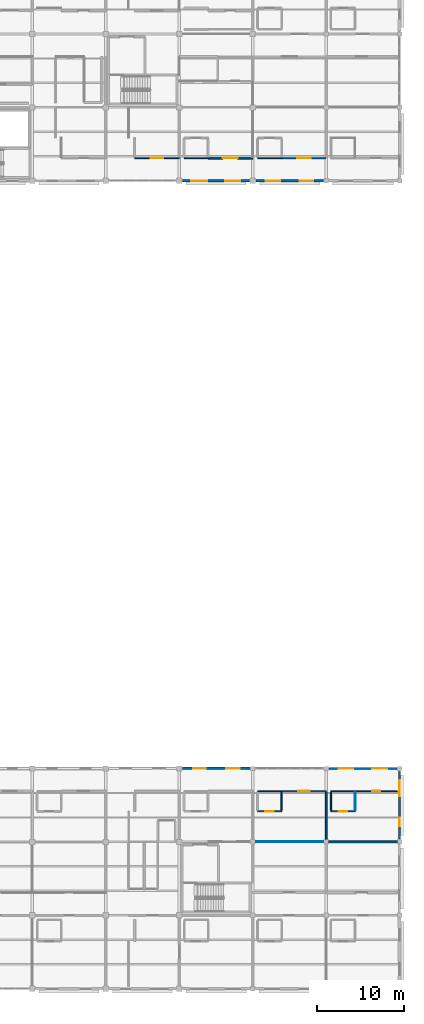
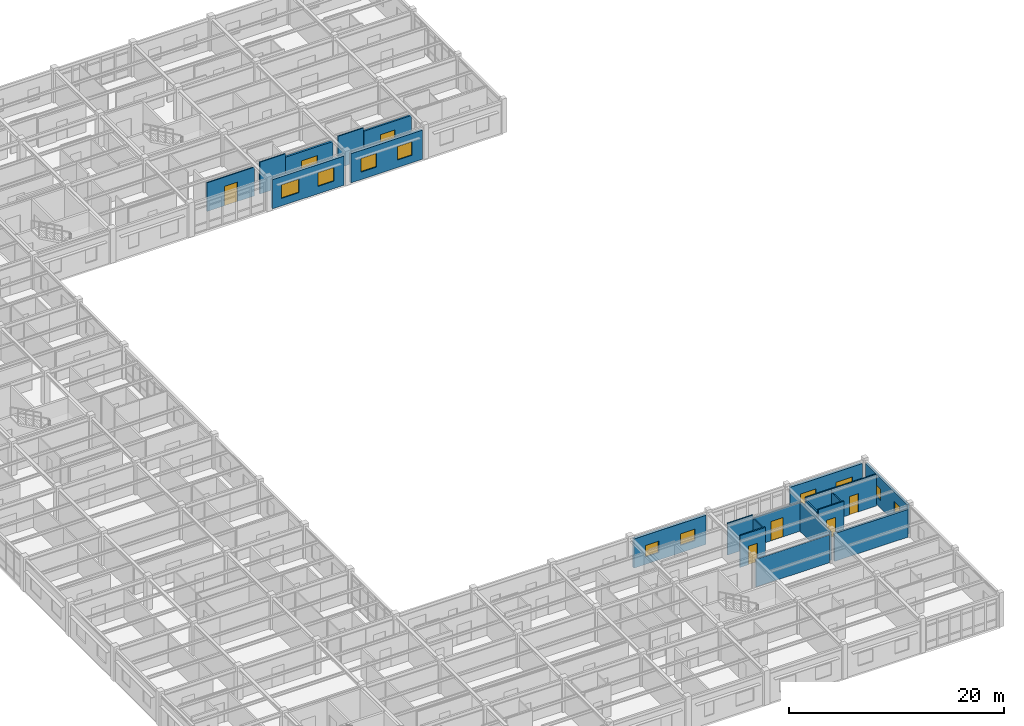
# One storey, part 67 of 86: 22 walls, 10 windows, 7 doors, 17 openings.
"""IFC4 building model written with IfcOpenShell, lengths in metres."""

from ifc_helpers import new_model, si_unit, direction, frame, frame_2d, origin, place, context, subcontext, project, spatial, rectangle, extrude, material, layer, layer_set, type_object, element, fill, save


model = new_model("IFC4")

# Units and contexts
model_context = context("Model", 3, precision=1e-05, world=origin(), true_north=direction((0.0, 1.0)))
body_context = subcontext(model_context, "Body", "Model", "MODEL_VIEW")
ifc_project = project(units=[si_unit("LENGTHUNIT", "METRE"), si_unit("AREAUNIT", "SQUARE_METRE"), si_unit("VOLUMEUNIT", "CUBIC_METRE"), si_unit("PLANEANGLEUNIT", "RADIAN"), si_unit("MASSUNIT", "GRAM", prefix="KILO")], contexts=[model_context])

# Site, building, storey
site_placement = place(None, origin())
site = spatial("IfcSite", under=ifc_project, at=site_placement, CompositionType="ELEMENT")
building_placement = place(site_placement, origin())
building = spatial("IfcBuilding", under=site, at=building_placement, Name="Bramfleet General Hospital", CompositionType="ELEMENT")
storey_placement = place(building_placement, frame((0.0, 0.0, 18.60009765625)))
storey = spatial("IfcBuildingStorey", under=building, at=storey_placement, Name="L04", CompositionType="ELEMENT", Elevation=18.60009765625)

# Wall, openings, windows
ifc_material_1 = material(Name="Precast concrete C40/50", Category="concrete")
ifc_layer_1 = layer(ifc_material_1, 0.280029296875, Name="WT-EW-06")
ifc_layer_set_1 = layer_set([ifc_layer_1], Name="Precast concrete C40/50")
wall_type_1 = type_object("IfcWallType", Name="WT-EW-06", PredefinedType="SOLIDWALL", material=ifc_layer_set_1)
wall_1_placement = place(storey_placement, frame((143.175048828125, 25.199951171875, 0.0), z_axis=(0.0, 0.0, 1.0), x_axis=(1.0, 0.0, 0.0)))
wall_1 = element("IfcWall", 1, at=wall_1_placement, inside=storey, type_object=wall_type_1, Name="L04 Exterior Wall 312", PredefinedType="SOLIDWALL", context=body_context, shape_type="SweptSolid", body=[
    extrude(rectangle(XDim=7.699951171875, YDim=0.280029296875, at=frame_2d((3.85009765625, 0.0))), origin(), (0.0, 0.0, 1.0), 3.309814453125),
])
opening_1_placement = place(wall_1_placement, frame((1.199951171875, 0.0, 0.85009765625)))
opening_1 = element("IfcOpeningElement", 2, at=opening_1_placement, cuts=wall_1, Name="Opening W-06", PredefinedType="OPENING", context=body_context, shape_type="SweptSolid", body=[
    extrude(rectangle(XDim=1.449951171875, YDim=1.300048828125, at=frame_2d((0.72509765625, 0.64990234375))), frame((0.0, 0.14990234375, 0.0), z_axis=(0.0, -1.0, 0.0), x_axis=(1.0, 0.0, 0.0)), (0.0, 0.0, 1.0), 0.300048828125),
])
opening_2_placement = place(wall_1_placement, frame((5.0, 0.0, 0.85009765625)))
opening_2 = element("IfcOpeningElement", 3, at=opening_2_placement, cuts=wall_1, Name="Opening W-07", PredefinedType="OPENING", context=body_context, shape_type="SweptSolid", body=[
    extrude(rectangle(XDim=1.550048828125, YDim=1.300048828125, at=frame_2d((0.77490234375, 0.64990234375))), frame((0.0, 0.14990234375, 0.0), z_axis=(0.0, -1.0, 0.0), x_axis=(1.0, 0.0, 0.0)), (0.0, 0.0, 1.0), 0.300048828125),
])
ifc_material_2 = material(Name="Anodised aluminium and low-E triple glazing", Category="aluminium")
window_type_1 = type_object("IfcWindowType", Name="WIN-W-06", PartitioningType="SINGLE_PANEL", PredefinedType="WINDOW", material=ifc_material_2)
window_1_placement = place(opening_1_placement, origin())
window_1 = element("IfcWindow", 4, at=window_1_placement, inside=storey, type_object=window_type_1, Name="L04 Facade Window WIN-L04-312-1", OverallHeight=1.300048828125, OverallWidth=1.449951171875, PartitioningType="SINGLE_PANEL", PredefinedType="WINDOW", context=body_context, shape_type="SweptSolid", body=[
    extrude(rectangle(XDim=1.449951171875, YDim=1.300048828125, at=frame_2d((0.72509765625, 0.64990234375))), frame((0.0, 0.030029296875, 0.0), z_axis=(0.0, -1.0, 0.0), x_axis=(1.0, 0.0, 0.0)), (0.0, 0.0, 1.0), 0.06005859375),
])
fill(opening_1, window_1)
window_type_2 = type_object("IfcWindowType", Name="WIN-W-07", PartitioningType="SINGLE_PANEL", PredefinedType="WINDOW", material=ifc_material_2)
window_2_placement = place(opening_2_placement, origin())
window_2 = element("IfcWindow", 5, at=window_2_placement, inside=storey, type_object=window_type_2, Name="L04 Facade Window WIN-L04-312-2", OverallHeight=1.300048828125, OverallWidth=1.550048828125, PartitioningType="SINGLE_PANEL", PredefinedType="WINDOW", context=body_context, shape_type="SweptSolid", body=[
    extrude(rectangle(XDim=1.550048828125, YDim=1.300048828125, at=frame_2d((0.77490234375, 0.64990234375))), frame((0.0, 0.030029296875, 0.0), z_axis=(0.0, -1.0, 0.0), x_axis=(1.0, 0.0, 0.0)), (0.0, 0.0, 1.0), 0.06005859375),
])
fill(opening_2, window_2)

ifc_layer_2 = layer(ifc_material_1, 0.264892578125, Name="WT-EW-07")
ifc_layer_set_2 = layer_set([ifc_layer_2], Name="Precast concrete C40/50")
wall_type_2 = type_object("IfcWallType", Name="WT-EW-07", PredefinedType="SOLIDWALL", material=ifc_layer_set_2)
wall_2_placement = place(storey_placement, frame((159.27490234375, 92.39990234375, 0.0), z_axis=(0.0, 0.0, 1.0), x_axis=(-1.0, 0.0, 0.0)))
wall_2 = element("IfcWall", 6, at=wall_2_placement, inside=storey, type_object=wall_type_2, Name="L04 Exterior Wall 299", PredefinedType="SOLIDWALL", context=body_context, shape_type="SweptSolid", body=[
    extrude(rectangle(XDim=7.699951171875, YDim=0.264892578125, at=frame_2d((3.85009765625, 0.0))), origin(), (0.0, 0.0, 1.0), 3.309814453125),
])
opening_3_placement = place(wall_2_placement, frame((1.14990234375, 0.0, 0.85009765625)))
opening_3 = element("IfcOpeningElement", 7, at=opening_3_placement, cuts=wall_2, Name="Opening W-26", PredefinedType="OPENING", context=body_context, shape_type="SweptSolid", body=[
    extrude(rectangle(XDim=1.550048828125, YDim=1.5400390625, at=frame_2d((0.77490234375, 0.77001953125))), frame((0.0, 0.142333984375, 0.0), z_axis=(0.0, -1.0, 0.0), x_axis=(1.0, 0.0, 0.0)), (0.0, 0.0, 1.0), 0.284912109375),
])
opening_4_placement = place(wall_2_placement, frame((4.949951171875, 0.0, 0.85009765625)))
opening_4 = element("IfcOpeningElement", 8, at=opening_4_placement, cuts=wall_2, Name="Opening W-27", PredefinedType="OPENING", context=body_context, shape_type="SweptSolid", body=[
    extrude(rectangle(XDim=1.64990234375, YDim=1.5400390625, at=frame_2d((0.824951171875, 0.77001953125))), frame((0.0, 0.142333984375, 0.0), z_axis=(0.0, -1.0, 0.0), x_axis=(1.0, 0.0, 0.0)), (0.0, 0.0, 1.0), 0.284912109375),
])
window_type_3 = type_object("IfcWindowType", Name="WIN-W-26", PartitioningType="SINGLE_PANEL", PredefinedType="WINDOW", material=ifc_material_2)
window_3_placement = place(opening_3_placement, origin())
window_3 = element("IfcWindow", 9, at=window_3_placement, inside=storey, type_object=window_type_3, Name="L04 Facade Window WIN-L04-299-1", OverallHeight=1.5400390625, OverallWidth=1.550048828125, PartitioningType="SINGLE_PANEL", PredefinedType="WINDOW", context=body_context, shape_type="SweptSolid", body=[
    extrude(rectangle(XDim=1.550048828125, YDim=1.5400390625, at=frame_2d((0.77490234375, 0.77001953125))), frame((0.0, 0.030029296875, 0.0), z_axis=(0.0, -1.0, 0.0), x_axis=(1.0, 0.0, 0.0)), (0.0, 0.0, 1.0), 0.06005859375),
])
fill(opening_3, window_3)
window_type_4 = type_object("IfcWindowType", Name="WIN-W-27", PartitioningType="SINGLE_PANEL", PredefinedType="WINDOW", material=ifc_material_2)
window_4_placement = place(opening_4_placement, origin())
window_4 = element("IfcWindow", 10, at=window_4_placement, inside=storey, type_object=window_type_4, Name="L04 Facade Window WIN-L04-299-2", OverallHeight=1.5400390625, OverallWidth=1.64990234375, PartitioningType="SINGLE_PANEL", PredefinedType="WINDOW", context=body_context, shape_type="SweptSolid", body=[
    extrude(rectangle(XDim=1.64990234375, YDim=1.5400390625, at=frame_2d((0.824951171875, 0.77001953125))), frame((0.0, 0.030029296875, 0.0), z_axis=(0.0, -1.0, 0.0), x_axis=(1.0, 0.0, 0.0)), (0.0, 0.0, 1.0), 0.06005859375),
])
fill(opening_4, window_4)

wall_3_placement = place(storey_placement, frame((159.925048828125, 25.199951171875, 0.0), z_axis=(0.0, 0.0, 1.0), x_axis=(1.0, 0.0, 0.0)))
wall_3 = element("IfcWall", 11, at=wall_3_placement, inside=storey, type_object=wall_type_2, Name="L04 Exterior Wall 313", PredefinedType="SOLIDWALL", context=body_context, shape_type="SweptSolid", body=[
    extrude(rectangle(XDim=7.75, YDim=0.264892578125, at=frame_2d((3.875, 0.0))), origin(), (0.0, 0.0, 1.0), 3.2998046875),
])
opening_5_placement = place(wall_3_placement, frame((1.112548828125, 0.0, 0.85009765625)))
opening_5 = element("IfcOpeningElement", 12, at=opening_5_placement, cuts=wall_3, Name="Opening W-08", PredefinedType="OPENING", context=body_context, shape_type="SweptSolid", body=[
    extrude(rectangle(XDim=1.64990234375, YDim=1.300048828125, at=frame_2d((0.824951171875, 0.64990234375))), frame((0.0, 0.142333984375, 0.0), z_axis=(0.0, -1.0, 0.0), x_axis=(1.0, 0.0, 0.0)), (0.0, 0.0, 1.0), 0.284912109375),
])
opening_6_placement = place(wall_3_placement, frame((4.9375, 0.0, 0.85009765625)))
opening_6 = element("IfcOpeningElement", 13, at=opening_6_placement, cuts=wall_3, Name="Opening W-09", PredefinedType="OPENING", context=body_context, shape_type="SweptSolid", body=[
    extrude(rectangle(XDim=1.75, YDim=1.300048828125, at=frame_2d((0.875, 0.64990234375))), frame((0.0, 0.142333984375, 0.0), z_axis=(0.0, -1.0, 0.0), x_axis=(1.0, 0.0, 0.0)), (0.0, 0.0, 1.0), 0.284912109375),
])
window_type_5 = type_object("IfcWindowType", Name="WIN-W-08", PartitioningType="SINGLE_PANEL", PredefinedType="WINDOW", material=ifc_material_2)
window_5_placement = place(opening_5_placement, origin())
window_5 = element("IfcWindow", 14, at=window_5_placement, inside=storey, type_object=window_type_5, Name="L04 Facade Window WIN-L04-313-1", OverallHeight=1.300048828125, OverallWidth=1.64990234375, PartitioningType="SINGLE_PANEL", PredefinedType="WINDOW", context=body_context, shape_type="SweptSolid", body=[
    extrude(rectangle(XDim=1.64990234375, YDim=1.300048828125, at=frame_2d((0.824951171875, 0.64990234375))), frame((0.0, 0.030029296875, 0.0), z_axis=(0.0, -1.0, 0.0), x_axis=(1.0, 0.0, 0.0)), (0.0, 0.0, 1.0), 0.06005859375),
])
fill(opening_5, window_5)
window_type_6 = type_object("IfcWindowType", Name="WIN-W-09", PartitioningType="SINGLE_PANEL", PredefinedType="WINDOW", material=ifc_material_2)
window_6_placement = place(opening_6_placement, origin())
window_6 = element("IfcWindow", 15, at=window_6_placement, inside=storey, type_object=window_type_6, Name="L04 Facade Window WIN-L04-313-2", OverallHeight=1.300048828125, OverallWidth=1.75, PartitioningType="SINGLE_PANEL", PredefinedType="WINDOW", context=body_context, shape_type="SweptSolid", body=[
    extrude(rectangle(XDim=1.75, YDim=1.300048828125, at=frame_2d((0.875, 0.64990234375))), frame((0.0, 0.030029296875, 0.0), z_axis=(0.0, -1.0, 0.0), x_axis=(1.0, 0.0, 0.0)), (0.0, 0.0, 1.0), 0.06005859375),
])
fill(opening_6, window_6)

ifc_layer_3 = layer(ifc_material_1, 0.25, Name="WT-EW-08")
ifc_layer_set_3 = layer_set([ifc_layer_3], Name="Precast concrete C40/50")
wall_type_3 = type_object("IfcWallType", Name="WT-EW-08", PredefinedType="SOLIDWALL", material=ifc_layer_set_3)
wall_4_placement = place(storey_placement, frame((150.824951171875, 92.39990234375, 0.0), z_axis=(0.0, 0.0, 1.0), x_axis=(-1.0, 0.0, 0.0)))
wall_4 = element("IfcWall", 16, at=wall_4_placement, inside=storey, type_object=wall_type_3, Name="L04 Exterior Wall 300", PredefinedType="SOLIDWALL", context=body_context, shape_type="SweptSolid", body=[
    extrude(rectangle(XDim=7.64990234375, YDim=0.25, at=frame_2d((3.824951171875, 0.0))), origin(), (0.0, 0.0, 1.0), 3.309814453125),
])
opening_7_placement = place(wall_4_placement, frame((1.03759765625, 0.0, 0.85009765625)))
opening_7 = element("IfcOpeningElement", 17, at=opening_7_placement, cuts=wall_4, Name="Opening W-28", PredefinedType="OPENING", context=body_context, shape_type="SweptSolid", body=[
    extrude(rectangle(XDim=1.75, YDim=1.5400390625, at=frame_2d((0.875, 0.77001953125))), frame((0.0, 0.135009765625, 0.0), z_axis=(0.0, -1.0, 0.0), x_axis=(1.0, 0.0, 0.0)), (0.0, 0.0, 1.0), 0.27001953125),
])
opening_8_placement = place(wall_4_placement, frame((4.8125, 0.0, 0.85009765625)))
opening_8 = element("IfcOpeningElement", 18, at=opening_8_placement, cuts=wall_4, Name="Opening W-29", PredefinedType="OPENING", context=body_context, shape_type="SweptSolid", body=[
    extrude(rectangle(XDim=1.85009765625, YDim=1.5400390625, at=frame_2d((0.925048828125, 0.77001953125))), frame((0.0, 0.135009765625, 0.0), z_axis=(0.0, -1.0, 0.0), x_axis=(1.0, 0.0, 0.0)), (0.0, 0.0, 1.0), 0.27001953125),
])
window_type_7 = type_object("IfcWindowType", Name="WIN-W-28", PartitioningType="SINGLE_PANEL", PredefinedType="WINDOW", material=ifc_material_2)
window_7_placement = place(opening_7_placement, origin())
window_7 = element("IfcWindow", 19, at=window_7_placement, inside=storey, type_object=window_type_7, Name="L04 Facade Window WIN-L04-300-1", OverallHeight=1.5400390625, OverallWidth=1.75, PartitioningType="SINGLE_PANEL", PredefinedType="WINDOW", context=body_context, shape_type="SweptSolid", body=[
    extrude(rectangle(XDim=1.75, YDim=1.5400390625, at=frame_2d((0.875, 0.77001953125))), frame((0.0, 0.030029296875, 0.0), z_axis=(0.0, -1.0, 0.0), x_axis=(1.0, 0.0, 0.0)), (0.0, 0.0, 1.0), 0.06005859375),
])
fill(opening_7, window_7)
window_type_8 = type_object("IfcWindowType", Name="WIN-W-29", PartitioningType="SINGLE_PANEL", PredefinedType="WINDOW", material=ifc_material_2)
window_8_placement = place(opening_8_placement, origin())
window_8 = element("IfcWindow", 20, at=window_8_placement, inside=storey, type_object=window_type_8, Name="L04 Facade Window WIN-L04-300-2", OverallHeight=1.5400390625, OverallWidth=1.85009765625, PartitioningType="SINGLE_PANEL", PredefinedType="WINDOW", context=body_context, shape_type="SweptSolid", body=[
    extrude(rectangle(XDim=1.85009765625, YDim=1.5400390625, at=frame_2d((0.925048828125, 0.77001953125))), frame((0.0, 0.030029296875, 0.0), z_axis=(0.0, -1.0, 0.0), x_axis=(1.0, 0.0, 0.0)), (0.0, 0.0, 1.0), 0.06005859375),
])
fill(opening_8, window_8)

wall_5_placement = place(storey_placement, frame((168.0, 24.875, 0.0), z_axis=(0.0, 0.0, 1.0), x_axis=(0.0, -1.0, 0.0)))
wall_5 = element("IfcWall", 21, at=wall_5_placement, inside=storey, type_object=wall_type_3, Name="L04 Exterior Wall 314", PredefinedType="SOLIDWALL", context=body_context, shape_type="SweptSolid", body=[
    extrude(rectangle(XDim=7.75, YDim=0.25, at=frame_2d((3.875, 0.0))), origin(), (0.0, 0.0, 1.0), 3.369873046875),
])
opening_9_placement = place(wall_5_placement, frame((1.012451171875, 0.0, 0.85009765625)))
opening_9 = element("IfcOpeningElement", 22, at=opening_9_placement, cuts=wall_5, Name="Opening W-10", PredefinedType="OPENING", context=body_context, shape_type="SweptSolid", body=[
    extrude(rectangle(XDim=1.85009765625, YDim=1.300048828125, at=frame_2d((0.925048828125, 0.64990234375))), frame((0.0, 0.135009765625, 0.0), z_axis=(0.0, -1.0, 0.0), x_axis=(1.0, 0.0, 0.0)), (0.0, 0.0, 1.0), 0.27001953125),
])
opening_10_placement = place(wall_5_placement, frame((5.3125, 0.0, 0.85009765625)))
opening_10 = element("IfcOpeningElement", 23, at=opening_10_placement, cuts=wall_5, Name="Opening W-11", PredefinedType="OPENING", context=body_context, shape_type="SweptSolid", body=[
    extrude(rectangle(XDim=1.0, YDim=1.419921875, at=frame_2d((0.5, 0.7099609375))), frame((0.0, 0.135009765625, 0.0), z_axis=(0.0, -1.0, 0.0), x_axis=(1.0, 0.0, 0.0)), (0.0, 0.0, 1.0), 0.27001953125),
])
window_type_9 = type_object("IfcWindowType", Name="WIN-W-10", PartitioningType="SINGLE_PANEL", PredefinedType="WINDOW", material=ifc_material_2)
window_9_placement = place(opening_9_placement, origin())
window_9 = element("IfcWindow", 24, at=window_9_placement, inside=storey, type_object=window_type_9, Name="L04 Facade Window WIN-L04-314-1", OverallHeight=1.300048828125, OverallWidth=1.85009765625, PartitioningType="SINGLE_PANEL", PredefinedType="WINDOW", context=body_context, shape_type="SweptSolid", body=[
    extrude(rectangle(XDim=1.85009765625, YDim=1.300048828125, at=frame_2d((0.925048828125, 0.64990234375))), frame((0.0, 0.030029296875, 0.0), z_axis=(0.0, -1.0, 0.0), x_axis=(1.0, 0.0, 0.0)), (0.0, 0.0, 1.0), 0.06005859375),
])
fill(opening_9, window_9)
window_type_10 = type_object("IfcWindowType", Name="WIN-W-11", PartitioningType="SINGLE_PANEL", PredefinedType="WINDOW", material=ifc_material_2)
window_10_placement = place(opening_10_placement, origin())
window_10 = element("IfcWindow", 25, at=window_10_placement, inside=storey, type_object=window_type_10, Name="L04 Facade Window WIN-L04-314-2", OverallHeight=1.419921875, OverallWidth=1.0, PartitioningType="SINGLE_PANEL", PredefinedType="WINDOW", context=body_context, shape_type="SweptSolid", body=[
    extrude(rectangle(XDim=1.0, YDim=1.419921875, at=frame_2d((0.5, 0.7099609375))), frame((0.0, 0.030029296875, 0.0), z_axis=(0.0, -1.0, 0.0), x_axis=(1.0, 0.0, 0.0)), (0.0, 0.0, 1.0), 0.06005859375),
])
fill(opening_10, window_10)

# Wall
ifc_material_3 = material(Name="Concrete C35/45", Category="concrete")
ifc_layer_4 = layer(ifc_material_3, 0.219970703125, Name="WT-IW-01")
ifc_layer_set_4 = layer_set([ifc_layer_4], Name="Concrete C35/45")
wall_type_4 = type_object("IfcWallType", Name="WT-IW-01", PredefinedType="PARTITIONING", material=ifc_layer_set_4)
wall_6_placement = place(storey_placement, frame((159.844970703125, 16.800048828125, 0.0), z_axis=(0.0, 0.0, 1.0), x_axis=(1.0, 0.0, 0.0)))
element("IfcWall", 26, at=wall_6_placement, inside=storey, type_object=wall_type_4, Name="L04 Interior Partition IW-L04-3109", PredefinedType="PARTITIONING", context=body_context, shape_type="SweptSolid", body=[
    extrude(rectangle(XDim=7.909912109375, YDim=0.219970703125, at=frame_2d((3.955078125, 0.0))), origin(), (0.0, 0.0, 1.0), 3.14990234375),
])

# Wall, opening, door
wall_7_placement = place(storey_placement, frame((146.10009765625, 95.0, 0.0), z_axis=(0.0, 0.0, 1.0), x_axis=(1.0, 0.0, 0.0)))
wall_7 = element("IfcWall", 27, at=wall_7_placement, inside=storey, type_object=wall_type_4, Name="L04 Interior Partition IW-L04-3193", PredefinedType="PARTITIONING", context=body_context, shape_type="SweptSolid", body=[
    extrude(rectangle(XDim=5.099853515625, YDim=0.219970703125, at=frame_2d((2.5498046875, 0.0))), origin(), (0.0, 0.0, 1.0), 3.260009765625),
])
opening_11_placement = place(wall_7_placement, frame((1.699951171875, 0.0, 0.0)))
opening_11 = element("IfcOpeningElement", 28, at=opening_11_placement, cuts=wall_7, Name="Opening D1319", PredefinedType="OPENING", context=body_context, shape_type="SweptSolid", body=[
    extrude(rectangle(XDim=1.699951171875, YDim=2.25, at=frame_2d((0.85009765625, 1.125))), frame((0.0, 0.119873046875, 0.0), z_axis=(0.0, -1.0, 0.0), x_axis=(1.0, 0.0, 0.0)), (0.0, 0.0, 1.0), 0.239990234375),
])
ifc_material_4 = material(Name="Stainless steel and acoustic timber leaf", Category="steel")
door_type_1 = type_object("IfcDoorType", Name="DR-D-07", OperationType="NOTDEFINED", PredefinedType="DOOR", material=ifc_material_4)
door_1_placement = place(opening_11_placement, origin())
door_1 = element("IfcDoor", 29, at=door_1_placement, inside=storey, type_object=door_type_1, Name="Surgical Inpatient Ward Bedroom L04-1711 Door D1319", OperationType="DOUBLE_SWING_RIGHT", OverallHeight=2.25, OverallWidth=1.699951171875, PredefinedType="DOOR", context=body_context, shape_type="SweptSolid", body=[
    extrude(rectangle(XDim=1.699951171875, YDim=2.25, at=frame_2d((0.85009765625, 1.125))), frame((0.0, 0.02490234375, 0.0), z_axis=(0.0, -1.0, 0.0), x_axis=(1.0, 0.0, 0.0)), (0.0, 0.0, 1.0), 0.050048828125),
])
fill(opening_11, door_1)

# Wall
ifc_layer_5 = layer(ifc_material_3, 0.205078125, Name="WT-IW-02")
ifc_layer_set_5 = layer_set([ifc_layer_5], Name="Concrete C35/45")
wall_type_5 = type_object("IfcWallType", Name="WT-IW-02", PredefinedType="PARTITIONING", material=ifc_layer_set_5)
wall_8_placement = place(storey_placement, frame((159.60009765625, 17.044921875, 0.0), z_axis=(0.0, 0.0, 1.0), x_axis=(0.0, 1.0, 0.0)))
element("IfcWall", 30, at=wall_8_placement, inside=storey, type_object=wall_type_5, Name="L04 Interior Partition IW-L04-3482", PredefinedType="PARTITIONING", context=body_context, shape_type="SweptSolid", body=[
    extrude(rectangle(XDim=5.440185546875, YDim=0.205078125, at=frame_2d((2.72021484375, 0.0))), origin(), (0.0, 0.0, 1.0), 3.25),
])

# Wall, opening, door
ifc_layer_6 = layer(ifc_material_3, 0.18994140625, Name="WT-IW-03")
ifc_layer_set_6 = layer_set([ifc_layer_6], Name="Concrete C35/45")
wall_type_6 = type_object("IfcWallType", Name="WT-IW-03", PredefinedType="PARTITIONING", material=ifc_layer_set_6)
wall_9_placement = place(storey_placement, frame((154.5, 95.0, 0.0), z_axis=(0.0, 0.0, 1.0), x_axis=(1.0, 0.0, 0.0)))
wall_9 = element("IfcWall", 31, at=wall_9_placement, inside=storey, type_object=wall_type_6, Name="L04 Interior Partition IW-L04-3195", PredefinedType="PARTITIONING", context=body_context, shape_type="SweptSolid", body=[
    extrude(rectangle(XDim=5.10009765625, YDim=0.18994140625, at=frame_2d((2.550048828125, 0.0))), origin(), (0.0, 0.0, 1.0), 3.25),
])
opening_12_placement = place(wall_9_placement, frame((1.780029296875, 0.0, 0.0)))
opening_12 = element("IfcOpeningElement", 32, at=opening_12_placement, cuts=wall_9, Name="Opening D1329", PredefinedType="OPENING", context=body_context, shape_type="SweptSolid", body=[
    extrude(rectangle(XDim=1.5400390625, YDim=2.239990234375, at=frame_2d((0.77001953125, 1.1201171875))), frame((0.0, 0.10498046875, 0.0), z_axis=(0.0, -1.0, 0.0), x_axis=(1.0, 0.0, 0.0)), (0.0, 0.0, 1.0), 0.2099609375),
])
door_type_2 = type_object("IfcDoorType", Name="DR-D-17", OperationType="NOTDEFINED", PredefinedType="DOOR", material=ifc_material_4)
door_2_placement = place(opening_12_placement, origin())
door_2 = element("IfcDoor", 33, at=door_2_placement, inside=storey, type_object=door_type_2, Name="Surgical Inpatient Ward Bedroom L04-1811 Door D1329", OperationType="SINGLE_SWING_RIGHT", OverallHeight=2.239990234375, OverallWidth=1.5400390625, PredefinedType="DOOR", context=body_context, shape_type="SweptSolid", body=[
    extrude(rectangle(XDim=1.5400390625, YDim=2.239990234375, at=frame_2d((0.77001953125, 1.1201171875))), frame((0.0, 0.02490234375, 0.0), z_axis=(0.0, -1.0, 0.0), x_axis=(1.0, 0.0, 0.0)), (0.0, 0.0, 1.0), 0.050048828125),
])
fill(opening_12, door_2)

ifc_material_5 = material(Name="Gypsum plasterboard on acoustic steel studs", Category="steel")
ifc_layer_7 = layer(ifc_material_5, 0.14990234375, Name="WT-IW-07")
ifc_layer_set_7 = layer_set([ifc_layer_7], Name="Gypsum plasterboard on acoustic steel studs")
wall_type_7 = type_object("IfcWallType", Name="WT-IW-07", PredefinedType="PARTITIONING", material=ifc_layer_set_7)
wall_10_placement = place(storey_placement, frame((151.75, 20.300048828125, 0.0), z_axis=(0.0, 0.0, 1.0), x_axis=(1.0, 0.0, 0.0)))
wall_10 = element("IfcWall", 34, at=wall_10_placement, inside=storey, type_object=wall_type_7, Name="L04 Interior Partition IW-L04-3115", PredefinedType="PARTITIONING", context=body_context, shape_type="SweptSolid", body=[
    extrude(rectangle(XDim=2.75, YDim=0.14990234375, at=frame_2d((1.375, 0.0))), origin(), (0.0, 0.0, 1.0), 3.60986328125),
])
opening_13_placement = place(wall_10_placement, frame((0.89990234375, 0.0, 0.0)))
opening_13 = element("IfcOpeningElement", 35, at=opening_13_placement, cuts=wall_10, Name="Opening D1328", PredefinedType="OPENING", context=body_context, shape_type="SweptSolid", body=[
    extrude(rectangle(XDim=0.949951171875, YDim=2.10009765625, at=frame_2d((0.47509765625, 1.050048828125))), frame((0.0, 0.0849609375, 0.0), z_axis=(0.0, -1.0, 0.0), x_axis=(1.0, 0.0, 0.0)), (0.0, 0.0, 1.0), 0.169921875),
])
door_type_3 = type_object("IfcDoorType", Name="DR-D-10", OperationType="NOTDEFINED", PredefinedType="DOOR", material=ifc_material_4)
door_3_placement = place(opening_13_placement, origin())
door_3 = element("IfcDoor", 36, at=door_3_placement, inside=storey, type_object=door_type_3, Name="En-Suite Bathroom L04-1802 Door D1328", OperationType="SINGLE_SWING_LEFT", OverallHeight=2.10009765625, OverallWidth=0.949951171875, PredefinedType="DOOR", context=body_context, shape_type="SweptSolid", body=[
    extrude(rectangle(XDim=0.949951171875, YDim=2.10009765625, at=frame_2d((0.47509765625, 1.050048828125))), frame((0.0, 0.02490234375, 0.0), z_axis=(0.0, -1.0, 0.0), x_axis=(1.0, 0.0, 0.0)), (0.0, 0.0, 1.0), 0.050048828125),
])
fill(opening_13, door_3)

# Wall
wall_11_placement = place(storey_placement, frame((160.14990234375, 20.4150390625, 0.0), z_axis=(0.0, 0.0, 1.0), x_axis=(0.0, 1.0, 0.0)))
element("IfcWall", 37, at=wall_11_placement, inside=storey, type_object=wall_type_7, Name="L04 Interior Partition IW-L04-3487", PredefinedType="PARTITIONING", context=body_context, shape_type="SweptSolid", body=[
    extrude(rectangle(XDim=2.070068359375, YDim=0.14990234375, at=frame_2d((1.03515625, 0.0))), origin(), (0.0, 0.0, 1.0), 3.2998046875),
])

# Wall, opening, door
ifc_layer_8 = layer(ifc_material_5, 0.139892578125, Name="WT-IW-08")
ifc_layer_set_8 = layer_set([ifc_layer_8], Name="Gypsum plasterboard on acoustic steel studs")
wall_type_8 = type_object("IfcWallType", Name="WT-IW-08", PredefinedType="PARTITIONING", material=ifc_layer_set_8)
wall_12_placement = place(storey_placement, frame((160.14990234375, 20.300048828125, 0.0), z_axis=(0.0, 0.0, 1.0), x_axis=(1.0, 0.0, 0.0)))
wall_12 = element("IfcWall", 38, at=wall_12_placement, inside=storey, type_object=wall_type_8, Name="L04 Interior Partition IW-L04-3116", PredefinedType="PARTITIONING", context=body_context, shape_type="SweptSolid", body=[
    extrude(rectangle(XDim=2.75, YDim=0.139892578125, at=frame_2d((1.375, 0.0))), origin(), (0.0, 0.0, 1.0), 3.60986328125),
])
opening_14_placement = place(wall_12_placement, frame((0.89990234375, 0.0, 0.0)))
opening_14 = element("IfcOpeningElement", 39, at=opening_14_placement, cuts=wall_12, Name="Opening D1338", PredefinedType="OPENING", context=body_context, shape_type="SweptSolid", body=[
    extrude(rectangle(XDim=0.949951171875, YDim=2.10009765625, at=frame_2d((0.47509765625, 1.050048828125))), frame((0.0, 0.079833984375, 0.0), z_axis=(0.0, -1.0, 0.0), x_axis=(1.0, 0.0, 0.0)), (0.0, 0.0, 1.0), 0.159912109375),
])
door_4_placement = place(opening_14_placement, origin())
door_4 = element("IfcDoor", 40, at=door_4_placement, inside=storey, type_object=door_type_3, Name="En-Suite Bathroom L04-1902 Door D1338", OperationType="SINGLE_SWING_LEFT", OverallHeight=2.10009765625, OverallWidth=0.949951171875, PredefinedType="DOOR", context=body_context, shape_type="SweptSolid", body=[
    extrude(rectangle(XDim=0.949951171875, YDim=2.10009765625, at=frame_2d((0.47509765625, 1.050048828125))), frame((0.0, 0.02490234375, 0.0), z_axis=(0.0, -1.0, 0.0), x_axis=(1.0, 0.0, 0.0)), (0.0, 0.0, 1.0), 0.050048828125),
])
fill(opening_14, door_4)

wall_13_placement = place(storey_placement, frame((154.5, 22.60009765625, 0.0), z_axis=(0.0, 0.0, 1.0), x_axis=(1.0, 0.0, 0.0)))
wall_13 = element("IfcWall", 41, at=wall_13_placement, inside=storey, type_object=wall_type_8, Name="L04 Interior Partition IW-L04-3128", PredefinedType="PARTITIONING", context=body_context, shape_type="SweptSolid", body=[
    extrude(rectangle(XDim=5.10009765625, YDim=0.139892578125, at=frame_2d((2.550048828125, 0.0))), origin(), (0.0, 0.0, 1.0), 3.25),
])
opening_15_placement = place(wall_13_placement, frame((1.89990234375, 0.0, 0.0)))
opening_15 = element("IfcOpeningElement", 42, at=opening_15_placement, cuts=wall_13, Name="Opening D1327", PredefinedType="OPENING", context=body_context, shape_type="SweptSolid", body=[
    extrude(rectangle(XDim=1.300048828125, YDim=2.199951171875, at=frame_2d((0.64990234375, 1.10009765625))), frame((0.0, 0.079833984375, 0.0), z_axis=(0.0, -1.0, 0.0), x_axis=(1.0, 0.0, 0.0)), (0.0, 0.0, 1.0), 0.159912109375),
])
door_type_4 = type_object("IfcDoorType", Name="DR-D-15", OperationType="NOTDEFINED", PredefinedType="DOOR", material=ifc_material_4)
door_5_placement = place(opening_15_placement, origin())
door_5 = element("IfcDoor", 43, at=door_5_placement, inside=storey, type_object=door_type_4, Name="Surgical Inpatient Ward Bedroom L04-1802 Door D1327", OperationType="SINGLE_SWING_RIGHT", OverallHeight=2.199951171875, OverallWidth=1.300048828125, PredefinedType="DOOR", context=body_context, shape_type="SweptSolid", body=[
    extrude(rectangle(XDim=1.300048828125, YDim=2.199951171875, at=frame_2d((0.64990234375, 1.10009765625))), frame((0.0, 0.02490234375, 0.0), z_axis=(0.0, -1.0, 0.0), x_axis=(1.0, 0.0, 0.0)), (0.0, 0.0, 1.0), 0.050048828125),
])
fill(opening_15, door_5)

# Walls
ifc_layer_9 = layer(ifc_material_5, 0.1298828125, Name="WT-IW-09")
ifc_layer_set_9 = layer_set([ifc_layer_9], Name="Gypsum plasterboard on acoustic steel studs")
wall_type_9 = type_object("IfcWallType", Name="WT-IW-09", PredefinedType="PARTITIONING", material=ifc_layer_set_9)
wall_14_placement = place(storey_placement, frame((154.5, 20.4150390625, 0.0), z_axis=(0.0, 0.0, 1.0), x_axis=(0.0, 1.0, 0.0)))
element("IfcWall", 44, at=wall_14_placement, inside=storey, type_object=wall_type_9, Name="L04 Interior Partition IW-L04-3477", PredefinedType="PARTITIONING", context=body_context, shape_type="SweptSolid", body=[
    extrude(rectangle(XDim=2.070068359375, YDim=0.1298828125, at=frame_2d((1.03515625, 0.0))), origin(), (0.0, 0.0, 1.0), 3.2998046875),
])
ifc_layer_10 = layer(ifc_material_5, 0.1201171875, Name="WT-IW-10")
ifc_layer_set_10 = layer_set([ifc_layer_10], Name="Gypsum plasterboard on acoustic steel studs")
wall_type_10 = type_object("IfcWallType", Name="WT-IW-10", PredefinedType="PARTITIONING", material=ifc_layer_set_10)
for number, where, z_axis, x_axis, name in (
    (45, (151.75, 22.60009765625, 0.0), (0.0, 0.0, 1.0), (1.0, 0.0, 0.0), "L04 Interior Partition IW-L04-3127"),
    (46, (160.14990234375, 22.60009765625, 0.0), (0.0, 0.0, 1.0), (1.0, 0.0, 0.0), "L04 Interior Partition IW-L04-3129"),
):
    element("IfcWall", number, at=place(storey_placement, frame(where, z_axis=z_axis, x_axis=x_axis)), inside=storey, type_object=wall_type_10, Name=name, PredefinedType="PARTITIONING", context=body_context, shape_type="SweptSolid", body=[
        extrude(rectangle(XDim=2.75, YDim=0.1201171875, at=frame_2d((1.375, 0.0))), origin(), (0.0, 0.0, 1.0), 3.60986328125),
    ])

# Wall, opening, door
wall_15_placement = place(storey_placement, frame((162.89990234375, 22.60009765625, 0.0), z_axis=(0.0, 0.0, 1.0), x_axis=(1.0, 0.0, 0.0)))
wall_15 = element("IfcWall", 47, at=wall_15_placement, inside=storey, type_object=wall_type_10, Name="L04 Interior Partition IW-L04-3130", PredefinedType="PARTITIONING", context=body_context, shape_type="SweptSolid", body=[
    extrude(rectangle(XDim=4.820068359375, YDim=0.1201171875, at=frame_2d((2.41015625, 0.0))), origin(), (0.0, 0.0, 1.0), 3.60986328125),
])
opening_16_placement = place(wall_15_placement, frame((1.949951171875, 0.0, 0.0)))
opening_16 = element("IfcOpeningElement", 48, at=opening_16_placement, cuts=wall_15, Name="Opening D1337", PredefinedType="OPENING", context=body_context, shape_type="SweptSolid", body=[
    extrude(rectangle(XDim=0.919921875, YDim=2.080078125, at=frame_2d((0.4599609375, 1.0400390625))), frame((0.0, 0.070068359375, 0.0), z_axis=(0.0, -1.0, 0.0), x_axis=(1.0, 0.0, 0.0)), (0.0, 0.0, 1.0), 0.14013671875),
])
door_type_5 = type_object("IfcDoorType", Name="DR-D-25", OperationType="NOTDEFINED", PredefinedType="DOOR", material=ifc_material_4)
door_6_placement = place(opening_16_placement, origin())
door_6 = element("IfcDoor", 49, at=door_6_placement, inside=storey, type_object=door_type_5, Name="Surgical Inpatient Ward Bedroom L04-1902 Door D1337", OperationType="SINGLE_SWING_RIGHT", OverallHeight=2.080078125, OverallWidth=0.919921875, PredefinedType="DOOR", context=body_context, shape_type="SweptSolid", body=[
    extrude(rectangle(XDim=0.919921875, YDim=2.080078125, at=frame_2d((0.4599609375, 1.0400390625))), frame((0.0, 0.02490234375, 0.0), z_axis=(0.0, -1.0, 0.0), x_axis=(1.0, 0.0, 0.0)), (0.0, 0.0, 1.0), 0.050048828125),
])
fill(opening_16, door_6)

# Walls
for number, where, z_axis, x_axis, name in (
    (50, (143.35009765625, 95.0, 0.0), (0.0, 0.0, 1.0), (1.0, 0.0, 0.0), "L04 Interior Partition IW-L04-3192"),
    (51, (151.75, 95.0, 0.0), (0.0, 0.0, 1.0), (1.0, 0.0, 0.0), "L04 Interior Partition IW-L04-3194"),
):
    element("IfcWall", number, at=place(storey_placement, frame(where, z_axis=z_axis, x_axis=x_axis)), inside=storey, type_object=wall_type_10, Name=name, PredefinedType="PARTITIONING", context=body_context, shape_type="SweptSolid", body=[
        extrude(rectangle(XDim=2.75, YDim=0.1201171875, at=frame_2d((1.375, 0.0))), origin(), (0.0, 0.0, 1.0), 3.60986328125),
    ])

# Wall, opening, door
ifc_layer_11 = layer(ifc_material_5, 0.112060546875, Name="WT-IW-11")
ifc_layer_set_11 = layer_set([ifc_layer_11], Name="Gypsum plasterboard on acoustic steel studs")
wall_type_11 = type_object("IfcWallType", Name="WT-IW-11", PredefinedType="PARTITIONING", material=ifc_layer_set_11)
wall_16_placement = place(storey_placement, frame((137.699951171875, 95.0, 0.0), z_axis=(0.0, 0.0, 1.0), x_axis=(1.0, 0.0, 0.0)))
wall_16 = element("IfcWall", 52, at=wall_16_placement, inside=storey, type_object=wall_type_11, Name="L04 Interior Partition IW-L04-3191", PredefinedType="PARTITIONING", context=body_context, shape_type="SweptSolid", body=[
    extrude(rectangle(XDim=5.10009765625, YDim=0.112060546875, at=frame_2d((2.550048828125, 0.0))), origin(), (0.0, 0.0, 1.0), 3.260009765625),
])
opening_17_placement = place(wall_16_placement, frame((1.85009765625, 0.0, 0.0)))
opening_17 = element("IfcOpeningElement", 53, at=opening_17_placement, cuts=wall_16, Name="Opening D1313", PredefinedType="OPENING", context=body_context, shape_type="SweptSolid", body=[
    extrude(rectangle(XDim=1.39990234375, YDim=2.199951171875, at=frame_2d((0.699951171875, 1.10009765625))), frame((0.0, 0.06591796875, 0.0), z_axis=(0.0, -1.0, 0.0), x_axis=(1.0, 0.0, 0.0)), (0.0, 0.0, 1.0), 0.132080078125),
])
door_type_6 = type_object("IfcDoorType", Name="DR-D-01", OperationType="NOTDEFINED", PredefinedType="DOOR", material=ifc_material_4)
door_7_placement = place(opening_17_placement, origin())
door_7 = element("IfcDoor", 54, at=door_7_placement, inside=storey, type_object=door_type_6, Name="Surgical Inpatient Ward Bedroom L04-1611 Door D1313", OperationType="SINGLE_SWING_RIGHT", OverallHeight=2.199951171875, OverallWidth=1.39990234375, PredefinedType="DOOR", context=body_context, shape_type="SweptSolid", body=[
    extrude(rectangle(XDim=1.39990234375, YDim=2.199951171875, at=frame_2d((0.699951171875, 1.10009765625))), frame((0.0, 0.02490234375, 0.0), z_axis=(0.0, -1.0, 0.0), x_axis=(1.0, 0.0, 0.0)), (0.0, 0.0, 1.0), 0.050048828125),
])
fill(opening_17, door_7)

# Walls
wall_17_placement = place(storey_placement, frame((162.89990234375, 20.4150390625, 0.0), z_axis=(0.0, 0.0, 1.0), x_axis=(0.0, 1.0, 0.0)))
element("IfcWall", 55, at=wall_17_placement, inside=storey, type_object=wall_type_11, Name="L04 Interior Partition IW-L04-3491", PredefinedType="PARTITIONING", context=body_context, shape_type="SweptSolid", body=[
    extrude(rectangle(XDim=2.070068359375, YDim=0.112060546875, at=frame_2d((1.03515625, 0.0))), origin(), (0.0, 0.0, 1.0), 3.2998046875),
])
ifc_layer_12 = layer(ifc_material_5, 0.10009765625, Name="WT-IW-12")
ifc_layer_set_12 = layer_set([ifc_layer_12], Name="Gypsum plasterboard on acoustic steel studs")
wall_type_12 = type_object("IfcWallType", Name="WT-IW-12", PredefinedType="PARTITIONING", material=ifc_layer_set_12)
wall_18_placement = place(storey_placement, frame((151.445068359375, 16.800048828125, 0.0), z_axis=(0.0, 0.0, 1.0), x_axis=(1.0, 0.0, 0.0)))
element("IfcWall", 56, at=wall_18_placement, inside=storey, type_object=wall_type_12, Name="L04 Interior Partition IW-L04-3108", PredefinedType="PARTITIONING", context=body_context, shape_type="SweptSolid", body=[
    extrude(rectangle(XDim=7.909912109375, YDim=0.10009765625, at=frame_2d((3.955078125, 0.0))), origin(), (0.0, 0.0, 1.0), 3.14990234375),
])

save(model, "model.ifc")
